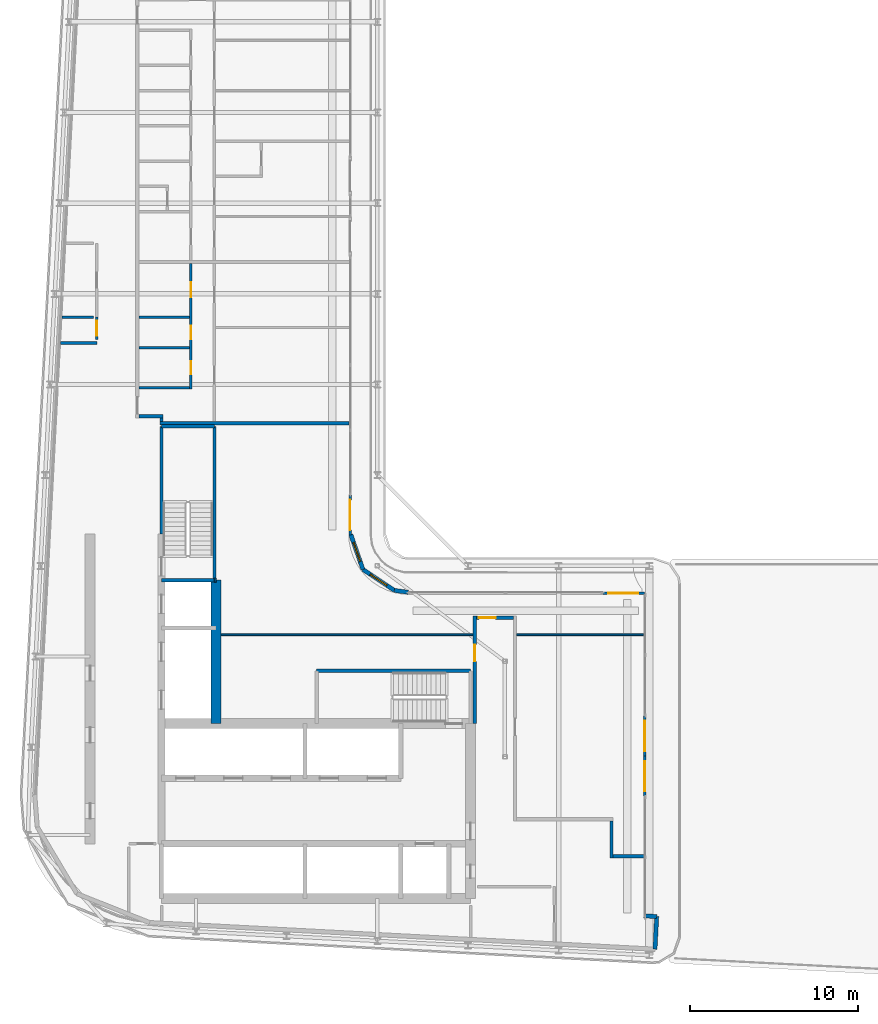
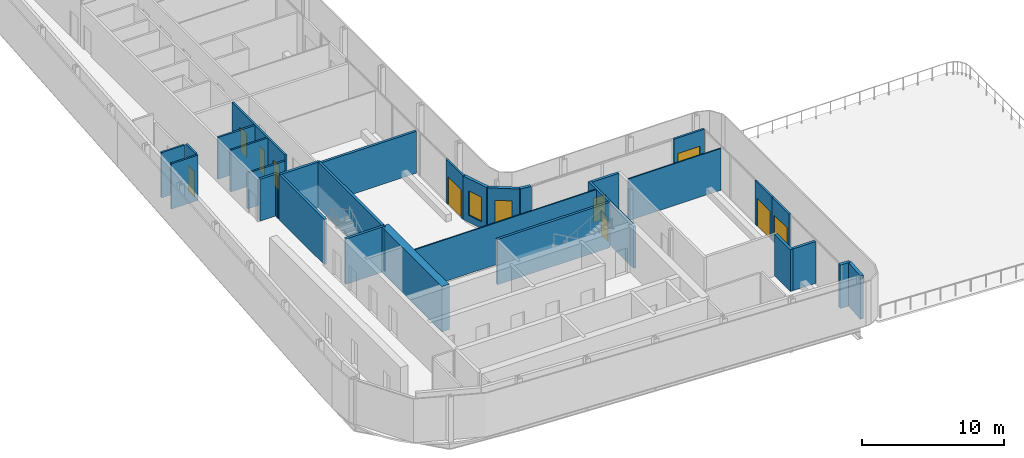
# One storey, part 12 of 22: 32 walls, 10 doors, 2 windows, 12 openings.
"""IFC4 building model written with IfcOpenShell, lengths in metres."""

from ifc_helpers import new_model, si_unit, direction, frame, frame_2d, origin, place, context, subcontext, project, spatial, rectangle, extrude, source, transform, mapped, material, layer, layer_set, type_object, element, fill, save


model = new_model("IFC4")

# Units and contexts
model_context = context("Model", 3, precision=1e-05, world=origin(), true_north=direction((0.0, 1.0)))
body_context = subcontext(model_context, "Body", "Model", "MODEL_VIEW")
ifc_project = project(units=[si_unit("LENGTHUNIT", "METRE"), si_unit("AREAUNIT", "SQUARE_METRE"), si_unit("VOLUMEUNIT", "CUBIC_METRE"), si_unit("PLANEANGLEUNIT", "RADIAN"), si_unit("MASSUNIT", "GRAM", prefix="KILO")], contexts=[model_context])

# Site, building, storey
site_placement = place(None, origin())
site = spatial("IfcSite", under=ifc_project, at=site_placement, CompositionType="ELEMENT")
building_placement = place(site_placement, origin())
building = spatial("IfcBuilding", under=site, at=building_placement, Name="Kheshtan School and Residences Tower", CompositionType="ELEMENT")
storey_placement = place(building_placement, frame((0.0, 0.0, 274.699951171875)))
storey = spatial("IfcBuildingStorey", under=building, at=storey_placement, Name="L64", CompositionType="ELEMENT", Elevation=274.699951171875)

# Walls
ifc_material_1 = material(Name="Concrete C60/75", Category="concrete")
ifc_layer_1 = layer(ifc_material_1, 0.60009765625)
ifc_layer_set_1 = layer_set([ifc_layer_1], Name="Core wall 600 Concrete C60/75")
wall_type_1 = type_object("IfcWallType", Name="Core wall 600 Concrete C60/75", PredefinedType="SHEAR", material=ifc_layer_set_1)
wall_1_placement = place(storey_placement, frame((38.0, 36.199951171875, 0.0), z_axis=(0.0, 0.0, 1.0), x_axis=(0.0, 1.0, 0.0)))
element("IfcWall", 1, at=wall_1_placement, inside=storey, type_object=wall_type_1, Name="Core wall CW-FRONT-W", PredefinedType="SHEAR", context=body_context, shape_type="SweptSolid", body=[
    extrude(rectangle(XDim=8.550048828125, YDim=0.60009765625, at=frame_2d((4.27490234375, 0.0))), origin(), (0.0, 0.0, 1.0), 3.900146484375),
])
ifc_material_2 = material(Name="Gypsum board on steel studs with fire boards", Category="steel")
ifc_layer_2 = layer(ifc_material_2, 0.199951171875)
ifc_layer_set_2 = layer_set([ifc_layer_2], Name="Corridor wall 200")
wall_type_2 = type_object("IfcWallType", Name="Corridor wall 200", PredefinedType="PARTITIONING", material=ifc_layer_set_2)
wall_2_placement = place(storey_placement, frame((33.39990234375, 54.5, 0.0), z_axis=(0.0, 0.0, 1.0), x_axis=(1.0, 0.0, 0.0)))
element("IfcWall", 2, at=wall_2_placement, inside=storey, type_object=wall_type_2, Name="Partition L64-005", PredefinedType="PARTITIONING", context=body_context, shape_type="SweptSolid", body=[
    extrude(rectangle(XDim=1.4501953125, YDim=0.199951171875, at=frame_2d((0.72509765625, 0.0))), origin(), (0.0, 0.0, 1.0), 3.60009765625),
])
wall_3_placement = place(storey_placement, frame((34.75, 54.199951171875, 0.0), z_axis=(0.0, 0.0, 1.0), x_axis=(0.0, 1.0, 0.0)))
element("IfcWall", 3, at=wall_3_placement, inside=storey, type_object=wall_type_2, Name="Partition L64-021", PredefinedType="PARTITIONING", context=body_context, shape_type="SweptSolid", body=[
    extrude(rectangle(XDim=0.199951171875, YDim=0.199951171875, at=frame_2d((0.10009765625, 0.0))), origin(), (0.0, 0.0, 1.0), 3.60009765625),
])

# Wall, opening, door
wall_4_placement = place(storey_placement, frame((53.39990234375, 36.198974609375, 0.0), z_axis=(0.0, 0.0, 1.0), x_axis=(0.0, 1.0, 0.0)))
wall_4 = element("IfcWall", 4, at=wall_4_placement, inside=storey, type_object=wall_type_2, Name="Partition L64-043", PredefinedType="PARTITIONING", context=body_context, shape_type="SweptSolid", body=[
    extrude(rectangle(XDim=6.401123046875, YDim=0.199951171875, at=frame_2d((3.20068359375, 0.0))), origin(), (0.0, 0.0, 1.0), 3.60009765625),
])
opening_1_placement = place(wall_4_placement, frame((3.708984375, 0.0, 0.0)))
opening_1 = element("IfcOpeningElement", 5, at=opening_1_placement, cuts=wall_4, Name="Opening D64-032", PredefinedType="OPENING", context=body_context, shape_type="SweptSolid", body=[
    extrude(rectangle(XDim=1.0, YDim=2.10009765625, at=frame_2d((0.5, 1.050048828125))), frame((0.0, 0.10986328125, 0.0), z_axis=(0.0, -1.0, 0.0), x_axis=(1.0, 0.0, 0.0)), (0.0, 0.0, 1.0), 0.219970703125),
])
ifc_material_3 = material(Name="Steel-framed fire-resisting door leaf", Category="steel")
door_type_1 = type_object("IfcDoorType", Name="Fire door FD60 1000 x 2100", OperationType="SINGLE_SWING_LEFT", PredefinedType="DOOR", material=ifc_material_3)
shared_shape_1 = source(origin(), body_context, "Body", "SweptSolid", [
    extrude(rectangle(XDim=1.0, YDim=2.10009765625, at=frame_2d((0.5, 1.050048828125))), frame((0.0, 0.02490234375, 0.0), z_axis=(0.0, -1.0, 0.0), x_axis=(1.0, 0.0, 0.0)), (0.0, 0.0, 1.0), 0.050048828125),
])
door_1_placement = place(opening_1_placement, origin())
door_1 = element("IfcDoor", 6, at=door_1_placement, inside=storey, type_object=door_type_1, Name="Door D64-032", OperationType="SINGLE_SWING_LEFT", OverallHeight=2.10009765625, OverallWidth=1.0, PredefinedType="DOOR", context=body_context, shape_type="MappedRepresentation", body=[
    mapped(shared_shape_1, transform((0.0, 0.0, 0.0), x_axis=(1.0, 0.0, 0.0), y_axis=(0.0, 1.0, 0.0), z_axis=(0.0, 0.0, 1.0), scale=1.0)),
])
fill(opening_1, door_1)

wall_5_placement = place(storey_placement, frame((53.5, 42.5, 0.0), z_axis=(0.0, 0.0, 1.0), x_axis=(1.0, 0.0, 0.0)))
wall_5 = element("IfcWall", 7, at=wall_5_placement, inside=storey, type_object=wall_type_2, Name="Partition L64-044", PredefinedType="PARTITIONING", context=body_context, shape_type="SweptSolid", body=[
    extrude(rectangle(XDim=2.199951171875, YDim=0.199951171875, at=frame_2d((1.10009765625, 0.0))), origin(), (0.0, 0.0, 1.0), 3.60009765625),
])
opening_2_placement = place(wall_5_placement, frame((0.14990234375, 0.0, 0.0)))
opening_2 = element("IfcOpeningElement", 8, at=opening_2_placement, cuts=wall_5, Name="Opening D64-033", PredefinedType="OPENING", context=body_context, shape_type="SweptSolid", body=[
    extrude(rectangle(XDim=1.0, YDim=2.10009765625, at=frame_2d((0.5, 1.050048828125))), frame((0.0, 0.10986328125, 0.0), z_axis=(0.0, -1.0, 0.0), x_axis=(1.0, 0.0, 0.0)), (0.0, 0.0, 1.0), 0.219970703125),
])
door_2_placement = place(opening_2_placement, origin())
door_2 = element("IfcDoor", 9, at=door_2_placement, inside=storey, type_object=door_type_1, Name="Door D64-033", OperationType="SINGLE_SWING_RIGHT", OverallHeight=2.10009765625, OverallWidth=1.0, PredefinedType="DOOR", context=body_context, shape_type="MappedRepresentation", body=[
    mapped(shared_shape_1, transform((0.0, 0.0, 0.0), x_axis=(1.0, 0.0, 0.0), y_axis=(0.0, 1.0, 0.0), z_axis=(0.0, 0.0, 1.0), scale=1.0)),
])
fill(opening_2, door_2)

# Walls
wall_6_placement = place(storey_placement, frame((61.550048828125, 28.199951171875, 0.0), z_axis=(0.0, 0.0, 1.0), x_axis=(0.0, 1.0, 0.0)))
element("IfcWall", 10, at=wall_6_placement, inside=storey, type_object=wall_type_2, Name="Partition L64-048", PredefinedType="PARTITIONING", context=body_context, shape_type="SweptSolid", body=[
    extrude(rectangle(XDim=2.199951171875, YDim=0.199951171875, at=frame_2d((1.10009765625, 0.0))), origin(), (0.0, 0.0, 1.0), 3.60009765625),
])
wall_7_placement = place(storey_placement, frame((61.64990234375, 28.300048828125, 0.0), z_axis=(0.0, 0.0, 1.0), x_axis=(1.0, 0.0, 0.0)))
element("IfcWall", 11, at=wall_7_placement, inside=storey, type_object=wall_type_2, Name="Partition L64-049", PredefinedType="PARTITIONING", context=body_context, shape_type="SweptSolid", body=[
    extrude(rectangle(XDim=1.8701171875, YDim=0.199951171875, at=frame_2d((0.93505859375, 0.0))), origin(), (0.0, 0.0, 1.0), 3.60009765625),
])

# Wall, opening, window
ifc_material_4 = material(Name="Concrete C40/50 with ceramic cladding and mineral wool insulation", Category="concrete")
ifc_layer_3 = layer(ifc_material_4, 0.25)
ifc_layer_set_3 = layer_set([ifc_layer_3], Name="External wall 250 ceramic clad")
wall_type_3 = type_object("IfcWallType", Name="External wall 250 ceramic clad", PredefinedType="SOLIDWALL", material=ifc_layer_set_3)
wall_8_placement = place(storey_placement, frame((46.01806640625, 47.470947265625, 0.0), z_axis=(0.0, 0.0, 1.0), x_axis=(0.328791208903, -0.944402637093, 0.0)))
wall_8 = element("IfcWall", 12, at=wall_8_placement, inside=storey, type_object=wall_type_3, Name="External wall L64 9", PredefinedType="SOLIDWALL", context=body_context, shape_type="SweptSolid", body=[
    extrude(rectangle(XDim=2.20458984375, YDim=0.25, at=frame_2d((1.102294921875, 0.0))), origin(), (0.0, 0.0, 1.0), 3.75),
])
opening_3_placement = place(wall_8_placement, frame((0.5029296875, 0.0, 0.60009765625)))
opening_3 = element("IfcOpeningElement", 13, at=opening_3_placement, cuts=wall_8, Name="Opening WN-E", PredefinedType="OPENING", context=body_context, shape_type="SweptSolid", body=[
    extrude(rectangle(XDim=1.199951171875, YDim=2.10009765625, at=frame_2d((0.60009765625, 1.050048828125))), frame((0.0, 0.135009765625, 0.0), z_axis=(0.0, -1.0, 0.0), x_axis=(1.0, 0.0, 0.0)), (0.0, 0.0, 1.0), 0.27001953125),
])
ifc_material_5 = material(Name="Clear low-e glass in thermally broken aluminium frame", Category="aluminium")
window_type = type_object("IfcWindowType", Name="Window WN-E", PartitioningType="SINGLE_PANEL", PredefinedType="WINDOW", material=ifc_material_5)
shared_shape_2 = source(origin(), body_context, "Body", "SweptSolid", [
    extrude(rectangle(XDim=1.199951171875, YDim=2.10009765625, at=frame_2d((0.60009765625, 1.050048828125))), frame((0.0, 0.030029296875, 0.0), z_axis=(0.0, -1.0, 0.0), x_axis=(1.0, 0.0, 0.0)), (0.0, 0.0, 1.0), 0.06005859375),
])
window_1_placement = place(opening_3_placement, origin())
window_1 = element("IfcWindow", 14, at=window_1_placement, inside=storey, type_object=window_type, Name="Window L64 9", OverallHeight=2.10009765625, OverallWidth=1.199951171875, PartitioningType="SINGLE_PANEL", PredefinedType="WINDOW", context=body_context, shape_type="MappedRepresentation", body=[
    mapped(shared_shape_2, transform((0.0, 0.0, 0.0), x_axis=(1.0, 0.0, 0.0), y_axis=(0.0, 1.0, 0.0), z_axis=(0.0, 0.0, 1.0), scale=1.0)),
])
fill(opening_3, window_1)

wall_9_placement = place(storey_placement, frame((46.742919921875, 45.388916015625, 0.0), z_axis=(0.0, 0.0, 1.0), x_axis=(0.831449265529, -0.555600682912, 0.0)))
wall_9 = element("IfcWall", 15, at=wall_9_placement, inside=storey, type_object=wall_type_3, Name="External wall L64 10", PredefinedType="SOLIDWALL", context=body_context, shape_type="SweptSolid", body=[
    extrude(rectangle(XDim=2.25146484375, YDim=0.25, at=frame_2d((1.125732421875, 0.0))), origin(), (0.0, 0.0, 1.0), 3.75),
])
opening_4_placement = place(wall_9_placement, frame((0.52490234375, 0.0, 0.60009765625)))
opening_4 = element("IfcOpeningElement", 16, at=opening_4_placement, cuts=wall_9, Name="Opening WN-E", PredefinedType="OPENING", context=body_context, shape_type="SweptSolid", body=[
    extrude(rectangle(XDim=1.199951171875, YDim=2.10009765625, at=frame_2d((0.60009765625, 1.050048828125))), frame((0.0, 0.135009765625, 0.0), z_axis=(0.0, -1.0, 0.0), x_axis=(1.0, 0.0, 0.0)), (0.0, 0.0, 1.0), 0.27001953125),
])
window_2_placement = place(opening_4_placement, origin())
window_2 = element("IfcWindow", 17, at=window_2_placement, inside=storey, type_object=window_type, Name="Window L64 10", OverallHeight=2.10009765625, OverallWidth=1.199951171875, PartitioningType="SINGLE_PANEL", PredefinedType="WINDOW", context=body_context, shape_type="MappedRepresentation", body=[
    mapped(shared_shape_2, transform((0.0, 0.0, 0.0), x_axis=(1.0, 0.0, 0.0), y_axis=(0.0, 1.0, 0.0), z_axis=(0.0, 0.0, 1.0), scale=1.0)),
])
fill(opening_4, window_2)

# Walls
wall_10_placement = place(storey_placement, frame((48.614990234375, 44.137939453125, 0.0), z_axis=(0.0, 0.0, 1.0), x_axis=(0.990741504246, -0.135761819977, 0.0)))
element("IfcWall", 18, at=wall_10_placement, inside=storey, type_object=wall_type_3, Name="External wall L64 11", PredefinedType="SOLIDWALL", context=body_context, shape_type="SweptSolid", body=[
    extrude(rectangle(XDim=0.83984375, YDim=0.25, at=frame_2d((0.419921875, 0.0))), origin(), (0.0, 0.0, 1.0), 3.75),
])
wall_11_placement = place(storey_placement, frame((63.45703125, 24.758056640625, 0.0), z_axis=(0.0, 0.0, 1.0), x_axis=(0.998561284263, -0.053622398031, 0.0)))
element("IfcWall", 19, at=wall_11_placement, inside=storey, type_object=wall_type_3, Name="External wall L64 14", PredefinedType="SOLIDWALL", context=body_context, shape_type="SweptSolid", body=[
    extrude(rectangle(XDim=0.783203125, YDim=0.25, at=frame_2d((0.3916015625, 0.0))), origin(), (0.0, 0.0, 1.0), 3.75),
])
wall_12_placement = place(storey_placement, frame((64.239013671875, 24.716064453125, 0.0), z_axis=(0.0, 0.0, 1.0), x_axis=(-0.052841433274, -0.998602915542, 0.0)))
element("IfcWall", 20, at=wall_12_placement, inside=storey, type_object=wall_type_3, Name="External wall L64 15", PredefinedType="SOLIDWALL", context=body_context, shape_type="SweptSolid", body=[
    extrude(rectangle(XDim=1.94970703125, YDim=0.25, at=frame_2d((0.974853515625, 0.0))), origin(), (0.0, 0.0, 1.0), 3.75),
])

# Wall, opening, door
ifc_material_6 = material(Name="Aluminium frame wall with insulated infill", Category="aluminium")
ifc_layer_4 = layer(ifc_material_6, 0.14990234375)
ifc_layer_set_4 = layer_set([ifc_layer_4], Name="Glazing frame wall 150")
wall_type_4 = type_object("IfcWallType", Name="Glazing frame wall 150", PredefinedType="SOLIDWALL", material=ifc_layer_set_4)
wall_13_placement = place(storey_placement, frame((45.97509765625, 49.830078125, 0.0), z_axis=(0.0, 0.0, 1.0), x_axis=(0.0, -1.0, 0.0)))
wall_13 = element("IfcWall", 21, at=wall_13_placement, inside=storey, type_object=wall_type_4, Name="Balcony door wall L64 8.5", PredefinedType="SOLIDWALL", context=body_context, shape_type="SweptSolid", body=[
    extrude(rectangle(XDim=2.400146484375, YDim=0.14990234375, at=frame_2d((1.2001953125, 0.0))), origin(), (0.0, 0.0, 1.0), 3.75),
])
opening_5_placement = place(wall_13_placement, frame((0.300048828125, 0.0, 0.0)))
opening_5 = element("IfcOpeningElement", 22, at=opening_5_placement, cuts=wall_13, Name="Opening BD", PredefinedType="OPENING", context=body_context, shape_type="SweptSolid", body=[
    extrude(rectangle(XDim=1.800048828125, YDim=2.39990234375, at=frame_2d((0.89990234375, 1.199951171875))), frame((0.0, 0.0849609375, 0.0), z_axis=(0.0, -1.0, 0.0), x_axis=(1.0, 0.0, 0.0)), (0.0, 0.0, 1.0), 0.169921875),
])
door_type_2 = type_object("IfcDoorType", Name="Balcony sliding door", OperationType="SLIDING_TO_LEFT", PredefinedType="DOOR", material=ifc_material_5)
shared_shape_3 = source(origin(), body_context, "Body", "SweptSolid", [
    extrude(rectangle(XDim=1.800048828125, YDim=2.39990234375, at=frame_2d((0.89990234375, 1.199951171875))), frame((0.0, 0.02490234375, 0.0), z_axis=(0.0, -1.0, 0.0), x_axis=(1.0, 0.0, 0.0)), (0.0, 0.0, 1.0), 0.050048828125),
])
door_3_placement = place(opening_5_placement, origin())
door_3 = element("IfcDoor", 23, at=door_3_placement, inside=storey, type_object=door_type_2, Name="Balcony door L64 8.5", OperationType="SLIDING_TO_LEFT", OverallHeight=2.39990234375, OverallWidth=1.800048828125, PredefinedType="DOOR", context=body_context, shape_type="MappedRepresentation", body=[
    mapped(shared_shape_3, transform((0.0, 0.0, 0.0), x_axis=(1.0, 0.0, 0.0), y_axis=(0.0, 1.0, 0.0), z_axis=(0.0, 0.0, 1.0), scale=1.0)),
])
fill(opening_5, door_3)

wall_14_placement = place(storey_placement, frame((61.050048828125, 43.97509765625, 0.0), z_axis=(0.0, 0.0, 1.0), x_axis=(1.0, 0.0, 0.0)))
wall_14 = element("IfcWall", 24, at=wall_14_placement, inside=storey, type_object=wall_type_4, Name="Balcony door wall L64 12.1", PredefinedType="SOLIDWALL", context=body_context, shape_type="SweptSolid", body=[
    extrude(rectangle(XDim=2.469970703125, YDim=0.14990234375, at=frame_2d((1.23486328125, 0.0))), origin(), (0.0, 0.0, 1.0), 3.75),
])
opening_6_placement = place(wall_14_placement, frame((0.300048828125, 0.0, 0.0)))
opening_6 = element("IfcOpeningElement", 25, at=opening_6_placement, cuts=wall_14, Name="Opening BD", PredefinedType="OPENING", context=body_context, shape_type="SweptSolid", body=[
    extrude(rectangle(XDim=1.800048828125, YDim=2.39990234375, at=frame_2d((0.89990234375, 1.199951171875))), frame((0.0, 0.0849609375, 0.0), z_axis=(0.0, -1.0, 0.0), x_axis=(1.0, 0.0, 0.0)), (0.0, 0.0, 1.0), 0.169921875),
])
door_4_placement = place(opening_6_placement, origin())
door_4 = element("IfcDoor", 26, at=door_4_placement, inside=storey, type_object=door_type_2, Name="Balcony door L64 12.1", OperationType="SLIDING_TO_LEFT", OverallHeight=2.39990234375, OverallWidth=1.800048828125, PredefinedType="DOOR", context=body_context, shape_type="MappedRepresentation", body=[
    mapped(shared_shape_3, transform((0.0, 0.0, 0.0), x_axis=(1.0, 0.0, 0.0), y_axis=(0.0, 1.0, 0.0), z_axis=(0.0, 0.0, 1.0), scale=1.0)),
])
fill(opening_6, door_4)

wall_15_placement = place(storey_placement, frame((63.52490234375, 36.666015625, 0.0), z_axis=(0.0, 0.0, 1.0), x_axis=(0.0, -1.0, 0.0)))
wall_15 = element("IfcWall", 27, at=wall_15_placement, inside=storey, type_object=wall_type_4, Name="Balcony door wall L64 13.1", PredefinedType="SOLIDWALL", context=body_context, shape_type="SweptSolid", body=[
    extrude(rectangle(XDim=2.39892578125, YDim=0.14990234375, at=frame_2d((1.199462890625, 0.0))), origin(), (0.0, 0.0, 1.0), 3.75),
])
opening_7_placement = place(wall_15_placement, frame((0.300048828125, 0.0, 0.0)))
opening_7 = element("IfcOpeningElement", 28, at=opening_7_placement, cuts=wall_15, Name="Opening BD", PredefinedType="OPENING", context=body_context, shape_type="SweptSolid", body=[
    extrude(rectangle(XDim=1.800048828125, YDim=2.39990234375, at=frame_2d((0.89990234375, 1.199951171875))), frame((0.0, 0.0849609375, 0.0), z_axis=(0.0, -1.0, 0.0), x_axis=(1.0, 0.0, 0.0)), (0.0, 0.0, 1.0), 0.169921875),
])
door_5_placement = place(opening_7_placement, origin())
door_5 = element("IfcDoor", 29, at=door_5_placement, inside=storey, type_object=door_type_2, Name="Balcony door L64 13.1", OperationType="SLIDING_TO_LEFT", OverallHeight=2.39990234375, OverallWidth=1.800048828125, PredefinedType="DOOR", context=body_context, shape_type="MappedRepresentation", body=[
    mapped(shared_shape_3, transform((0.0, 0.0, 0.0), x_axis=(1.0, 0.0, 0.0), y_axis=(0.0, 1.0, 0.0), z_axis=(0.0, 0.0, 1.0), scale=1.0)),
])
fill(opening_7, door_5)

wall_16_placement = place(storey_placement, frame((63.52490234375, 34.26708984375, 0.0), z_axis=(0.0, 0.0, 1.0), x_axis=(0.0, -1.0, 0.0)))
wall_16 = element("IfcWall", 30, at=wall_16_placement, inside=storey, type_object=wall_type_4, Name="Balcony door wall L64 13.2", PredefinedType="SOLIDWALL", context=body_context, shape_type="SweptSolid", body=[
    extrude(rectangle(XDim=2.401123046875, YDim=0.14990234375, at=frame_2d((1.20068359375, 0.0))), origin(), (0.0, 0.0, 1.0), 3.75),
])
opening_8_placement = place(wall_16_placement, frame((0.300048828125, 0.0, 0.0)))
opening_8 = element("IfcOpeningElement", 31, at=opening_8_placement, cuts=wall_16, Name="Opening BD", PredefinedType="OPENING", context=body_context, shape_type="SweptSolid", body=[
    extrude(rectangle(XDim=1.800048828125, YDim=2.39990234375, at=frame_2d((0.89990234375, 1.199951171875))), frame((0.0, 0.0849609375, 0.0), z_axis=(0.0, -1.0, 0.0), x_axis=(1.0, 0.0, 0.0)), (0.0, 0.0, 1.0), 0.169921875),
])
door_6_placement = place(opening_8_placement, origin())
door_6 = element("IfcDoor", 32, at=door_6_placement, inside=storey, type_object=door_type_2, Name="Balcony door L64 13.2", OperationType="SLIDING_TO_LEFT", OverallHeight=2.39990234375, OverallWidth=1.800048828125, PredefinedType="DOOR", context=body_context, shape_type="MappedRepresentation", body=[
    mapped(shared_shape_3, transform((0.0, 0.0, 0.0), x_axis=(1.0, 0.0, 0.0), y_axis=(0.0, 1.0, 0.0), z_axis=(0.0, 0.0, 1.0), scale=1.0)),
])
fill(opening_8, door_6)

# Walls
ifc_material_7 = material(Name="Gypsum board on steel studs", Category="steel")
ifc_layer_5 = layer(ifc_material_7, 0.10009765625)
ifc_layer_set_5 = layer_set([ifc_layer_5], Name="Gypsum partition 100")
wall_type_5 = type_object("IfcWallType", Name="Gypsum partition 100", PredefinedType="PARTITIONING", material=ifc_layer_set_5)
wall_17_placement = place(storey_placement, frame((38.299072265625, 41.5, 0.0), z_axis=(0.0, 0.0, 1.0), x_axis=(1.0, 0.0, 0.0)))
element("IfcWall", 33, at=wall_17_placement, inside=storey, type_object=wall_type_5, Name="Partition L64-041", PredefinedType="PARTITIONING", context=body_context, shape_type="SweptSolid", body=[
    extrude(rectangle(XDim=15.0009765625, YDim=0.10009765625, at=frame_2d((7.50048828125, 0.0))), origin(), (0.0, 0.0, 1.0), 3.60009765625),
])
wall_18_placement = place(storey_placement, frame((55.89990234375, 41.5, 0.0), z_axis=(0.0, 0.0, 1.0), x_axis=(1.0, 0.0, 0.0)))
element("IfcWall", 34, at=wall_18_placement, inside=storey, type_object=wall_type_5, Name="Partition L64-047", PredefinedType="PARTITIONING", context=body_context, shape_type="SweptSolid", body=[
    extrude(rectangle(XDim=7.550048828125, YDim=0.10009765625, at=frame_2d((3.77490234375, 0.0))), origin(), (0.0, 0.0, 1.0), 3.60009765625),
])
ifc_material_8 = material(Name="Fire-board shaft wall system")
ifc_layer_6 = layer(ifc_material_8, 0.14990234375)
ifc_layer_set_6 = layer_set([ifc_layer_6], Name="Service room wall 150")
wall_type_6 = type_object("IfcWallType", Name="Service room wall 150", PredefinedType="PARTITIONING", material=ifc_layer_set_6)
wall_19_placement = place(storey_placement, frame((28.738037109375, 58.8720703125, 0.0), z_axis=(0.0, 0.0, 1.0), x_axis=(1.0, 0.0, 0.0)))
element("IfcWall", 35, at=wall_19_placement, inside=storey, type_object=wall_type_6, Name="Service room wall", PredefinedType="PARTITIONING", context=body_context, shape_type="SweptSolid", body=[
    extrude(rectangle(XDim=2.161865234375, YDim=0.14990234375, at=frame_2d((1.0810546875, 0.0))), origin(), (0.0, 0.0, 1.0), 3.900146484375),
])

# Wall, opening, door
wall_20_placement = place(storey_placement, frame((30.89990234375, 59.06689453125, 0.0), z_axis=(0.0, 0.0, 1.0), x_axis=(0.0, 1.0, 0.0)))
wall_20 = element("IfcWall", 36, at=wall_20_placement, inside=storey, type_object=wall_type_6, Name="Service room wall", PredefinedType="PARTITIONING", context=body_context, shape_type="SweptSolid", body=[
    extrude(rectangle(XDim=1.34716796875, YDim=0.14990234375, at=frame_2d((0.673583984375, 0.0))), origin(), (0.0, 0.0, 1.0), 3.900146484375),
])
opening_9_placement = place(wall_20_placement, frame((0.22607421875, 0.0, 0.0)))
opening_9 = element("IfcOpeningElement", 37, at=opening_9_placement, cuts=wall_20, Name="Opening SR90", PredefinedType="OPENING", context=body_context, shape_type="SweptSolid", body=[
    extrude(rectangle(XDim=0.89990234375, YDim=2.199951171875, at=frame_2d((0.449951171875, 1.10009765625))), frame((0.0, 0.0849609375, 0.0), z_axis=(0.0, -1.0, 0.0), x_axis=(1.0, 0.0, 0.0)), (0.0, 0.0, 1.0), 0.169921875),
])
ifc_material_9 = material(Name="Steel door leaf, galvanised", Category="steel")
door_type_3 = type_object("IfcDoorType", Name="Service room door 900 steel 90 min", OperationType="SINGLE_SWING_LEFT", PredefinedType="DOOR", material=ifc_material_9)
shared_shape_4 = source(origin(), body_context, "Body", "SweptSolid", [
    extrude(rectangle(XDim=0.89990234375, YDim=2.199951171875, at=frame_2d((0.449951171875, 1.10009765625))), frame((0.0, 0.02490234375, 0.0), z_axis=(0.0, -1.0, 0.0), x_axis=(1.0, 0.0, 0.0)), (0.0, 0.0, 1.0), 0.050048828125),
])
door_7_placement = place(opening_9_placement, origin())
door_7 = element("IfcDoor", 38, at=door_7_placement, inside=storey, type_object=door_type_3, Name="Service room door", OperationType="SINGLE_SWING_LEFT", OverallHeight=2.199951171875, OverallWidth=0.89990234375, PredefinedType="DOOR", context=body_context, shape_type="MappedRepresentation", body=[
    mapped(shared_shape_4, transform((0.0, 0.0, 0.0), x_axis=(1.0, 0.0, 0.0), y_axis=(0.0, 1.0, 0.0), z_axis=(0.0, 0.0, 1.0), scale=1.0)),
])
fill(opening_9, door_7)

# Walls
wall_21_placement = place(storey_placement, frame((28.820068359375, 60.4140625, 0.0), z_axis=(0.0, 0.0, 1.0), x_axis=(1.0, 0.0, 0.0)))
element("IfcWall", 39, at=wall_21_placement, inside=storey, type_object=wall_type_6, Name="Service room wall", PredefinedType="PARTITIONING", context=body_context, shape_type="SweptSolid", body=[
    extrude(rectangle(XDim=1.885009765625, YDim=0.14990234375, at=frame_2d((0.9423828125, 0.0))), origin(), (0.0, 0.0, 1.0), 3.900146484375),
])
ifc_layer_7 = layer(ifc_material_8, 0.25)
ifc_layer_set_7 = layer_set([ifc_layer_7], Name="Shaft lining wall 250")
wall_type_7 = type_object("IfcWallType", Name="Shaft lining wall 250", PredefinedType="PARTITIONING", material=ifc_layer_set_7)
wall_22_placement = place(storey_placement, frame((37.89990234375, 44.75, 0.0), z_axis=(0.0, 0.0, 1.0), x_axis=(1.0, 0.0, 0.0)))
element("IfcWall", 40, at=wall_22_placement, inside=storey, type_object=wall_type_7, Name="Shaft lining wall", PredefinedType="PARTITIONING", context=body_context, shape_type="SweptSolid", body=[
    extrude(rectangle(XDim=0.10009765625, YDim=0.25, at=frame_2d((0.050048828125, 0.0))), origin(), (0.0, 0.0, 1.0), 3.900146484375),
])
ifc_material_10 = material(Name="Concrete C40/50", Category="concrete")
ifc_layer_8 = layer(ifc_material_10, 0.199951171875)
ifc_layer_set_8 = layer_set([ifc_layer_8], Name="Stair enclosure wall 200 Concrete C40/50")
wall_type_8 = type_object("IfcWallType", Name="Stair enclosure wall 200 Concrete C40/50", PredefinedType="SHEAR", material=ifc_layer_set_8)
wall_23_placement = place(storey_placement, frame((43.989990234375, 39.35009765625, 0.0), z_axis=(0.0, 0.0, 1.0), x_axis=(1.0, 0.0, 0.0)))
element("IfcWall", 41, at=wall_23_placement, inside=storey, type_object=wall_type_8, Name="Stair enclosure wall ST1", PredefinedType="SHEAR", context=body_context, shape_type="SweptSolid", body=[
    extrude(rectangle(XDim=9.159912109375, YDim=0.199951171875, at=frame_2d((4.580078125, 0.0))), origin(), (0.0, 0.0, 1.0), 3.900146484375),
])
for number, where, z_axis, x_axis, name in (
    (42, (34.75, 44.75, 0.0), (0.0, 0.0, 1.0), (1.0, 0.0, 0.0), "Stair enclosure wall ST2"),
    (43, (34.75, 53.909912109375, 0.0), (0.0, 0.0, 1.0), (1.0, 0.0, 0.0), "Stair enclosure wall ST2"),
):
    element("IfcWall", number, at=place(storey_placement, frame(where, z_axis=z_axis, x_axis=x_axis)), inside=storey, type_object=wall_type_8, Name=name, PredefinedType="SHEAR", context=body_context, shape_type="SweptSolid", body=[
        extrude(rectangle(XDim=3.14990234375, YDim=0.199951171875, at=frame_2d((1.574951171875, 0.0))), origin(), (0.0, 0.0, 1.0), 3.900146484375),
    ])
wall_24_placement = place(storey_placement, frame((34.75, 47.5, 0.0), z_axis=(0.0, 0.0, 1.0), x_axis=(0.0, 1.0, 0.0)))
element("IfcWall", 44, at=wall_24_placement, inside=storey, type_object=wall_type_8, Name="Stair enclosure wall ST2", PredefinedType="SHEAR", context=body_context, shape_type="SweptSolid", body=[
    extrude(rectangle(XDim=6.409912109375, YDim=0.199951171875, at=frame_2d((3.205078125, 0.0))), origin(), (0.0, 0.0, 1.0), 3.900146484375),
])
wall_25_placement = place(storey_placement, frame((37.89990234375, 44.75, 0.0), z_axis=(0.0, 0.0, 1.0), x_axis=(0.0, 1.0, 0.0)))
element("IfcWall", 45, at=wall_25_placement, inside=storey, type_object=wall_type_8, Name="Stair enclosure wall ST2", PredefinedType="SHEAR", context=body_context, shape_type="SweptSolid", body=[
    extrude(rectangle(XDim=9.159912109375, YDim=0.199951171875, at=frame_2d((4.580078125, 0.0))), origin(), (0.0, 0.0, 1.0), 3.900146484375),
])
ifc_material_11 = material(Name="Twin gypsum board on steel studs with mineral wool", Category="steel")
ifc_layer_9 = layer(ifc_material_11, 0.199951171875)
ifc_layer_set_9 = layer_set([ifc_layer_9], Name="Unit demising wall 200")
wall_type_9 = type_object("IfcWallType", Name="Unit demising wall 200", PredefinedType="PARTITIONING", material=ifc_layer_set_9)
wall_26_placement = place(storey_placement, frame((34.64990234375, 54.10009765625, 0.0), z_axis=(0.0, 0.0, 1.0), x_axis=(1.0, 0.0, 0.0)))
element("IfcWall", 46, at=wall_26_placement, inside=storey, type_object=wall_type_9, Name="Partition L64-020", PredefinedType="PARTITIONING", context=body_context, shape_type="SweptSolid", body=[
    extrude(rectangle(XDim=11.25, YDim=0.199951171875, at=frame_2d((5.625, 0.0))), origin(), (0.0, 0.0, 1.0), 3.60009765625),
])
ifc_material_12 = material(Name="Moisture-resistant gypsum board on steel studs", Category="steel")
ifc_layer_10 = layer(ifc_material_12, 0.14990234375)
ifc_layer_set_10 = layer_set([ifc_layer_10], Name="Wet-room partition 150")
wall_type_10 = type_object("IfcWallType", Name="Wet-room partition 150", PredefinedType="PARTITIONING", material=ifc_layer_set_10)
wall_27_placement = place(storey_placement, frame((33.39990234375, 56.199951171875, 0.0), z_axis=(0.0, 0.0, 1.0), x_axis=(1.0, 0.0, 0.0)))
element("IfcWall", 47, at=wall_27_placement, inside=storey, type_object=wall_type_10, Name="Partition L64-006", PredefinedType="PARTITIONING", context=body_context, shape_type="SweptSolid", body=[
    extrude(rectangle(XDim=3.025146484375, YDim=0.14990234375, at=frame_2d((1.5126953125, 0.0))), origin(), (0.0, 0.0, 1.0), 3.072021484375),
])
for number, where, z_axis, x_axis, name in (
    (48, (33.39990234375, 58.60009765625, 0.0), (0.0, 0.0, 1.0), (1.0, 0.0, 0.0), "Partition L64-007"),
    (49, (33.39990234375, 60.39990234375, 0.0), (0.0, 0.0, 1.0), (1.0, 0.0, 0.0), "Partition L64-008"),
):
    element("IfcWall", number, at=place(storey_placement, frame(where, z_axis=z_axis, x_axis=x_axis)), inside=storey, type_object=wall_type_10, Name=name, PredefinedType="PARTITIONING", context=body_context, shape_type="SweptSolid", body=[
        extrude(rectangle(XDim=3.025146484375, YDim=0.14990234375, at=frame_2d((1.5126953125, 0.0))), origin(), (0.0, 0.0, 1.0), 3.60009765625),
    ])

# Wall, openings, doors
wall_28_placement = place(storey_placement, frame((36.5, 56.125, 0.0), z_axis=(0.0, 0.0, 1.0), x_axis=(0.0, 1.0, 0.0)))
wall_28 = element("IfcWall", 50, at=wall_28_placement, inside=storey, type_object=wall_type_10, Name="Partition L64-024", PredefinedType="PARTITIONING", context=body_context, shape_type="SweptSolid", body=[
    extrude(rectangle(XDim=7.47509765625, YDim=0.14990234375, at=frame_2d((3.737548828125, 0.0))), origin(), (0.0, 0.0, 1.0), 3.60009765625),
])
opening_10_placement = place(wall_28_placement, frame((0.875, 0.0, 0.0)))
opening_10 = element("IfcOpeningElement", 51, at=opening_10_placement, cuts=wall_28, Name="Opening D64-001", PredefinedType="OPENING", context=body_context, shape_type="SweptSolid", body=[
    extrude(rectangle(XDim=0.800048828125, YDim=2.10009765625, at=frame_2d((0.39990234375, 1.050048828125))), frame((0.0, 0.0849609375, 0.0), z_axis=(0.0, -1.0, 0.0), x_axis=(1.0, 0.0, 0.0)), (0.0, 0.0, 1.0), 0.169921875),
])
opening_11_placement = place(wall_28_placement, frame((5.47509765625, 0.0, 0.0)))
opening_11 = element("IfcOpeningElement", 52, at=opening_11_placement, cuts=wall_28, Name="Opening D64-004", PredefinedType="OPENING", context=body_context, shape_type="SweptSolid", body=[
    extrude(rectangle(XDim=0.89990234375, YDim=2.10009765625, at=frame_2d((0.449951171875, 1.050048828125))), frame((0.0, 0.0849609375, 0.0), z_axis=(0.0, -1.0, 0.0), x_axis=(1.0, 0.0, 0.0)), (0.0, 0.0, 1.0), 0.169921875),
])
opening_12_placement = place(wall_28_placement, frame((2.97509765625, 0.0, 0.0)))
opening_12 = element("IfcOpeningElement", 53, at=opening_12_placement, cuts=wall_28, Name="Opening D64-006", PredefinedType="OPENING", context=body_context, shape_type="SweptSolid", body=[
    extrude(rectangle(XDim=0.800048828125, YDim=2.10009765625, at=frame_2d((0.39990234375, 1.050048828125))), frame((0.0, 0.0849609375, 0.0), z_axis=(0.0, -1.0, 0.0), x_axis=(1.0, 0.0, 0.0)), (0.0, 0.0, 1.0), 0.169921875),
])
ifc_material_13 = material(Name="Veneered timber door leaf", Category="wood")
door_type_4 = type_object("IfcDoorType", Name="Door 800 x 2100", OperationType="SINGLE_SWING_LEFT", PredefinedType="DOOR", material=ifc_material_13)
shared_shape_5 = source(origin(), body_context, "Body", "SweptSolid", [
    extrude(rectangle(XDim=0.800048828125, YDim=2.10009765625, at=frame_2d((0.39990234375, 1.050048828125))), frame((0.0, 0.02490234375, 0.0), z_axis=(0.0, -1.0, 0.0), x_axis=(1.0, 0.0, 0.0)), (0.0, 0.0, 1.0), 0.050048828125),
])
door_8_placement = place(opening_10_placement, origin())
door_8 = element("IfcDoor", 54, at=door_8_placement, inside=storey, type_object=door_type_4, Name="Door D64-001", OperationType="SINGLE_SWING_LEFT", OverallHeight=2.10009765625, OverallWidth=0.800048828125, PredefinedType="DOOR", context=body_context, shape_type="MappedRepresentation", body=[
    mapped(shared_shape_5, transform((0.0, 0.0, 0.0), x_axis=(1.0, 0.0, 0.0), y_axis=(0.0, 1.0, 0.0), z_axis=(0.0, 0.0, 1.0), scale=1.0)),
])
fill(opening_10, door_8)
door_9_placement = place(opening_12_placement, origin())
door_9 = element("IfcDoor", 55, at=door_9_placement, inside=storey, type_object=door_type_4, Name="Door D64-006", OperationType="SINGLE_SWING_RIGHT", OverallHeight=2.10009765625, OverallWidth=0.800048828125, PredefinedType="DOOR", context=body_context, shape_type="MappedRepresentation", body=[
    mapped(shared_shape_5, transform((0.0, 0.0, 0.0), x_axis=(1.0, 0.0, 0.0), y_axis=(0.0, 1.0, 0.0), z_axis=(0.0, 0.0, 1.0), scale=1.0)),
])
fill(opening_12, door_9)
door_type_5 = type_object("IfcDoorType", Name="Door 900 x 2100", OperationType="SINGLE_SWING_LEFT", PredefinedType="DOOR", material=ifc_material_13)
shared_shape_6 = source(origin(), body_context, "Body", "SweptSolid", [
    extrude(rectangle(XDim=0.89990234375, YDim=2.10009765625, at=frame_2d((0.449951171875, 1.050048828125))), frame((0.0, 0.02490234375, 0.0), z_axis=(0.0, -1.0, 0.0), x_axis=(1.0, 0.0, 0.0)), (0.0, 0.0, 1.0), 0.050048828125),
])
door_10_placement = place(opening_11_placement, origin())
door_10 = element("IfcDoor", 56, at=door_10_placement, inside=storey, type_object=door_type_5, Name="Door D64-004", OperationType="SINGLE_SWING_LEFT", OverallHeight=2.10009765625, OverallWidth=0.89990234375, PredefinedType="DOOR", context=body_context, shape_type="MappedRepresentation", body=[
    mapped(shared_shape_6, transform((0.0, 0.0, 0.0), x_axis=(1.0, 0.0, 0.0), y_axis=(0.0, 1.0, 0.0), z_axis=(0.0, 0.0, 1.0), scale=1.0)),
])
fill(opening_11, door_10)

save(model, "model.ifc")
